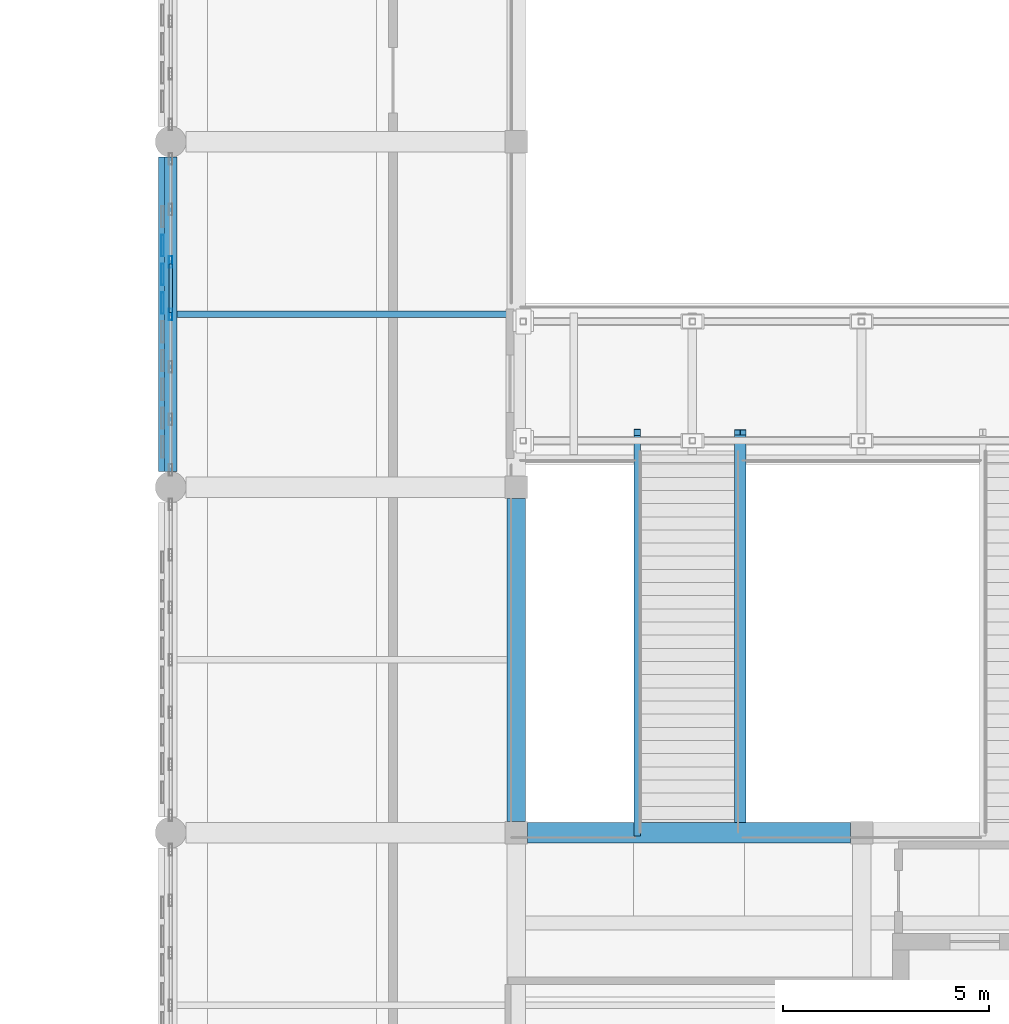
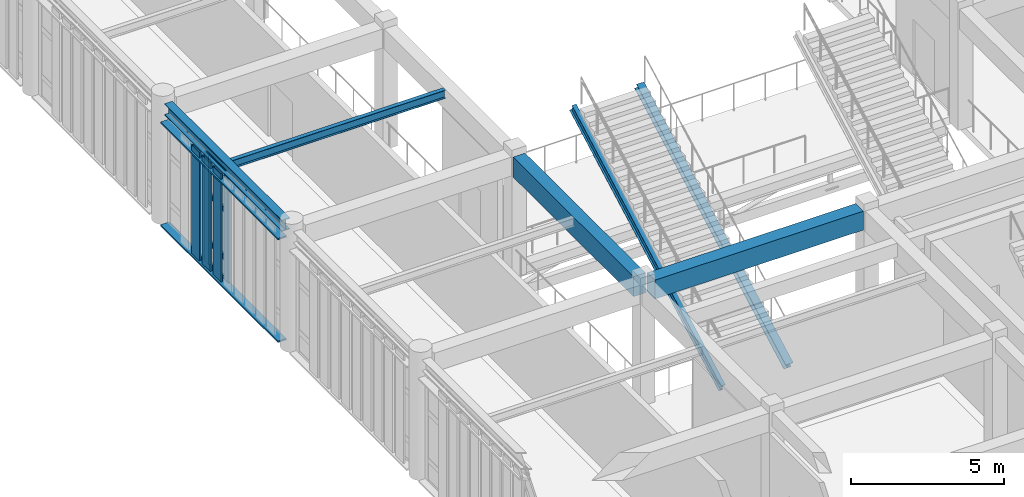
# One storey, part 18 of 106: 13 members, 4 beams, 1 element without a shape of its own.
"""IFC4 building model written with IfcOpenShell, lengths in metres."""

from ifc_helpers import new_model, si_unit, direction, frame, origin, origin_2d, place, context, subcontext, project, spatial, rectangle, hollow_rectangle, i_section, extrude, material, layer, layer_set, material_profile, profile_set, type_object, element, aggregate, save


model = new_model("IFC4")

# Units and contexts
model_context = context("Model", 3, precision=1e-05, world=origin(), true_north=direction((0.0, 1.0)))
body_context = subcontext(model_context, "Body", "Model", "MODEL_VIEW")
ifc_project = project(units=[si_unit("LENGTHUNIT", "METRE"), si_unit("AREAUNIT", "SQUARE_METRE"), si_unit("VOLUMEUNIT", "CUBIC_METRE"), si_unit("PLANEANGLEUNIT", "RADIAN"), si_unit("MASSUNIT", "GRAM", prefix="KILO")], contexts=[model_context])

# Site, building, storey
site_placement = place(None, origin())
site = spatial("IfcSite", under=ifc_project, at=site_placement, CompositionType="ELEMENT")
building_placement = place(site_placement, origin())
building = spatial("IfcBuilding", under=site, at=building_placement, Name="Krzemoval Escarpment Law Courts", CompositionType="ELEMENT")
storey_placement = place(building_placement, frame((0.0, 0.0, 5.10009765625)))
storey = spatial("IfcBuildingStorey", under=building, at=storey_placement, Name="L01", CompositionType="ELEMENT", Elevation=5.10009765625)

# Beams
ifc_material_1 = material(Name="Concrete C40/50", Category="concrete")
ifc_material_profile_1 = material_profile(ifc_material_1, rectangle(XDim=0.449951171875, YDim=0.800048828125, at=origin_2d()), Name="RCB 450x800")
ifc_profile_set_1 = profile_set([ifc_material_profile_1], Name="Concrete C40/50")
beam_type_1 = type_object("IfcBeamType", Name="BM-RC-450x800", PredefinedType="BEAM", material=ifc_profile_set_1)
beam_1_placement = place(storey_placement, frame((16.800048828125, 49.47509765625, 4.419921875), z_axis=(0.0, 1.0, 0.0), x_axis=(-1.0, 0.0, 0.0)))
element("IfcBeam", 1, at=beam_1_placement, inside=storey, type_object=beam_type_1, Name="Beam FG-L01-1400", PredefinedType="BEAM", context=body_context, shape_type="SweptSolid", body=[
    extrude(rectangle(XDim=0.449951171875, YDim=0.800048828125, at=origin_2d()), origin(), (0.0, 0.0, 1.0), 7.849853515625),
])
ifc_material_2 = material(Name="Concrete C40/50", Category="concrete")
ifc_material_profile_2 = material_profile(ifc_material_2, rectangle(XDim=0.5, YDim=0.75, at=origin_2d()), Name="RCB 500x750")
ifc_profile_set_2 = profile_set([ifc_material_profile_2], Name="Concrete C40/50")
beam_type_2 = type_object("IfcBeamType", Name="BM-RC-500x750", PredefinedType="BEAM", material=ifc_profile_set_2)
beam_2_placement = place(storey_placement, frame((17.074951171875, 49.199951171875, 4.44482421875), z_axis=(1.0, 0.0, 0.0), x_axis=(0.0, 1.0, 0.0)))
element("IfcBeam", 2, at=beam_2_placement, inside=storey, type_object=beam_type_2, Name="Beam FG-L01-1246", PredefinedType="BEAM", context=body_context, shape_type="SweptSolid", body=[
    extrude(rectangle(XDim=0.5, YDim=0.75, at=origin_2d()), origin(), (0.0, 0.0, 1.0), 7.85009765625),
])

# Curtain wall, members
ifc_material_3 = material(Name="Aluminium 6063-T6", Category="aluminium")
ifc_layer = layer(ifc_material_3, 0.280029296875)
ifc_layer_set = layer_set([ifc_layer], Name="Aluminium 6063-T6")
curtain_wall_type = type_object("IfcCurtainWallType", Name="CW-HALL-5100", PredefinedType="USERDEFINED", material=ifc_layer_set)
curtain_wall_placement = place(storey_placement, origin())
curtain_wall = element("IfcCurtainWall", 3, at=curtain_wall_placement, inside=storey, type_object=curtain_wall_type, Name="Unitised Curtain Wall FCW-L01-025", ObjectType="UNITISED_CURTAIN_WALL", PredefinedType="USERDEFINED")
ifc_material_4 = material(Name="Aluminium 6063-T6", Category="aluminium")
ifc_material_profile_3 = material_profile(ifc_material_4, hollow_rectangle(XDim=0.0849609375, YDim=0.280029296875, WallThickness=0.005615234375, at=origin_2d()), Name="ALU M85x280")
ifc_profile_set_3 = profile_set([ifc_material_profile_3], Name="Aluminium 6063-T6")
member_type_1 = type_object("IfcMemberType", Name="CWM-85x280", PredefinedType="MULLION", material=ifc_profile_set_3)
member_1_placement = place(storey_placement, frame((8.39990234375, 61.800048828125, 0.0), z_axis=(0.0, 0.0, 1.0), x_axis=(-1.0, 0.0, 0.0)))
member_1 = element("IfcMember", 4, at=member_1_placement, type_object=member_type_1, Name="FCW-L01-025 mullion 4", PredefinedType="MULLION", context=body_context, shape_type="SweptSolid", body=[
    extrude(hollow_rectangle(XDim=0.0849609375, YDim=0.280029296875, WallThickness=0.005615234375, at=origin_2d()), origin(), (0.0, 0.0, 1.0), 4.369873046875),
])
member_2_placement = place(storey_placement, frame((8.39990234375, 63.074951171875, 0.0), z_axis=(0.0, 0.0, 1.0), x_axis=(-1.0, 0.0, 0.0)))
member_2 = element("IfcMember", 5, at=member_2_placement, type_object=member_type_1, Name="FCW-L01-025 mullion 5", PredefinedType="MULLION", context=body_context, shape_type="SweptSolid", body=[
    extrude(hollow_rectangle(XDim=0.0849609375, YDim=0.280029296875, WallThickness=0.005615234375, at=origin_2d()), origin(), (0.0, 0.0, 1.0), 4.369873046875),
])
ifc_material_5 = material(Name="Aluminium 6063-T6", Category="aluminium")
ifc_material_profile_4 = material_profile(ifc_material_5, hollow_rectangle(XDim=0.0849609375, YDim=0.2099609375, WallThickness=0.005615234375, at=origin_2d()), Name="ALU T85x210")
ifc_profile_set_4 = profile_set([ifc_material_profile_4], Name="Aluminium 6063-T6")
member_type_2 = type_object("IfcMemberType", Name="CWT-85x210", PredefinedType="USERDEFINED", material=ifc_profile_set_4)
member_3_placement = place(storey_placement, frame((8.39990234375, 61.842529296875, 0.04248046875), z_axis=(0.0, 1.0, 0.0), x_axis=(-1.0, 0.0, 0.0)))
member_3 = element("IfcMember", 6, at=member_3_placement, type_object=member_type_2, Name="FCW-L01-025 transom 4.1", ObjectType="TRANSOM", PredefinedType="USERDEFINED", context=body_context, shape_type="SweptSolid", body=[
    extrude(hollow_rectangle(XDim=0.0849609375, YDim=0.2099609375, WallThickness=0.005615234375, at=origin_2d()), origin(), (0.0, 0.0, 1.0), 1.18994140625),
])
member_4_placement = place(storey_placement, frame((8.39990234375, 61.842529296875, 0.89990234375), z_axis=(0.0, 1.0, 0.0), x_axis=(-1.0, 0.0, 0.0)))
member_4 = element("IfcMember", 7, at=member_4_placement, type_object=member_type_2, Name="FCW-L01-025 transom 4.2", ObjectType="TRANSOM", PredefinedType="USERDEFINED", context=body_context, shape_type="SweptSolid", body=[
    extrude(hollow_rectangle(XDim=0.0849609375, YDim=0.2099609375, WallThickness=0.005615234375, at=origin_2d()), origin(), (0.0, 0.0, 1.0), 1.18994140625),
])
member_5_placement = place(storey_placement, frame((8.39990234375, 61.842529296875, 2.7998046875), z_axis=(0.0, 1.0, 0.0), x_axis=(-1.0, 0.0, 0.0)))
member_5 = element("IfcMember", 8, at=member_5_placement, type_object=member_type_2, Name="FCW-L01-025 transom 4.3", ObjectType="TRANSOM", PredefinedType="USERDEFINED", context=body_context, shape_type="SweptSolid", body=[
    extrude(hollow_rectangle(XDim=0.0849609375, YDim=0.2099609375, WallThickness=0.005615234375, at=origin_2d()), origin(), (0.0, 0.0, 1.0), 1.18994140625),
])
member_6_placement = place(storey_placement, frame((8.39990234375, 61.842529296875, 4.327392578125), z_axis=(0.0, 1.0, 0.0), x_axis=(-1.0, 0.0, 0.0)))
member_6 = element("IfcMember", 9, at=member_6_placement, type_object=member_type_2, Name="FCW-L01-025 transom 4.4", ObjectType="TRANSOM", PredefinedType="USERDEFINED", context=body_context, shape_type="SweptSolid", body=[
    extrude(hollow_rectangle(XDim=0.0849609375, YDim=0.2099609375, WallThickness=0.005615234375, at=origin_2d()), origin(), (0.0, 0.0, 1.0), 1.18994140625),
])
aggregate(curtain_wall, [member_1, member_2, member_3, member_4, member_5, member_6])

# Beam
ifc_material_6 = material(Name="Steel S355", Category="steel")
ifc_material_profile_5 = material_profile(ifc_material_6, i_section(OverallWidth=0.159912109375, OverallDepth=0.330078125, WebThickness=0.007568359375, FlangeThickness=0.011474609375, at=origin_2d()), Name="IPE 330")
ifc_profile_set_5 = profile_set([ifc_material_profile_5], Name="Steel S355")
beam_type_3 = type_object("IfcBeamType", Name="JST-S355-IPE330", PredefinedType="JOIST", material=ifc_profile_set_5)
beam_3_placement = place(storey_placement, frame((8.550048828125, 61.800048828125, 4.65478515625), z_axis=(1.0, 0.0, 0.0), x_axis=(0.0, 1.0, 0.0)))
element("IfcBeam", 10, at=beam_3_placement, inside=storey, type_object=beam_type_3, Name="Secondary Joist FJ-L01-1607", PredefinedType="JOIST", context=body_context, shape_type="SweptSolid", body=[
    extrude(i_section(OverallWidth=0.159912109375, OverallDepth=0.330078125, WebThickness=0.007568359375, FlangeThickness=0.011474609375, at=origin_2d()), origin(), (0.0, 0.0, 1.0), 8.02490234375),
])

# Members
ifc_material_7 = material(Name="Anodised Aluminium Alloy 6063-T6", Category="aluminium")
ifc_material_profile_6 = material_profile(ifc_material_7, hollow_rectangle(XDim=0.06005859375, YDim=0.320068359375, WallThickness=0.00390625, at=origin_2d()), Name="ALU LVR 60x320")
ifc_profile_set_6 = profile_set([ifc_material_profile_6], Name="Anodised Aluminium Alloy 6063-T6")
member_type_3 = type_object("IfcMemberType", Name="LVR-ALU-320", PredefinedType="USERDEFINED", material=ifc_profile_set_6)
for number, where, z_axis, x_axis, name in (
    (11, (8.260009765625, 57.97509765625, 0.02978515625), (0.0, 1.0, 0.0), (0.0, 0.0, 1.0), "Sunshade Support Rail FSR-L01-0030"),
    (12, (8.260009765625, 57.97509765625, 4.119873046875), (0.0, 1.0, 0.0), (0.0, 0.0, 1.0), "Sunshade Support Rail FSR-L01-0031"),
):
    element("IfcMember", number, at=place(storey_placement, frame(where, z_axis=z_axis, x_axis=x_axis)), inside=storey, type_object=member_type_3, Name=name, ObjectType="SUNSHADE_LOUVRE", PredefinedType="USERDEFINED", context=body_context, shape_type="SweptSolid", body=[
        extrude(hollow_rectangle(XDim=0.06005859375, YDim=0.320068359375, WallThickness=0.00390625, at=origin_2d()), origin(), (0.0, 0.0, 1.0), 7.64990234375),
    ])
ifc_material_8 = material(Name="Anodised Aluminium Alloy 6063-T6", Category="aluminium")
ifc_material_profile_7 = material_profile(ifc_material_8, hollow_rectangle(XDim=0.06494140625, YDim=0.52001953125, WallThickness=0.00439453125, at=origin_2d()), Name="ALU LVR 65x520")
ifc_profile_set_7 = profile_set([ifc_material_profile_7], Name="Anodised Aluminium Alloy 6063-T6")
member_type_4 = type_object("IfcMemberType", Name="LVR-ALU-520", PredefinedType="USERDEFINED", material=ifc_profile_set_7)
for number, where, z_axis, x_axis, name in (
    (13, (8.199951171875, 62.074951171875, 0.059814453125), (0.0, 0.0, 1.0), (1.0, 0.0, 0.0), "Sunshade Louvre Fin FLV-L01-0037"),
    (14, (8.199951171875, 62.77490234375, 0.059814453125), (0.0, 0.0, 1.0), (1.0, 0.0, 0.0), "Sunshade Louvre Fin FLV-L01-0038"),
    (15, (8.199951171875, 63.47509765625, 0.059814453125), (0.0, 0.0, 1.0), (1.0, 0.0, 0.0), "Sunshade Louvre Fin FLV-L01-0039"),
):
    element("IfcMember", number, at=place(storey_placement, frame(where, z_axis=z_axis, x_axis=x_axis)), inside=storey, type_object=member_type_4, Name=name, ObjectType="SUNSHADE_LOUVRE", PredefinedType="USERDEFINED", context=body_context, shape_type="SweptSolid", body=[
        extrude(hollow_rectangle(XDim=0.06494140625, YDim=0.52001953125, WallThickness=0.00439453125, at=origin_2d()), origin(), (0.0, 0.0, 1.0), 4.31005859375),
    ])
ifc_material_9 = material(Name="Steel S355", Category="steel")
ifc_material_profile_8 = material_profile(ifc_material_9, i_section(OverallWidth=0.280029296875, OverallDepth=0.280029296875, WebThickness=0.010498046875, FlangeThickness=0.01806640625, at=origin_2d()), Name="HEB 280")
ifc_profile_set_8 = profile_set([ifc_material_profile_8], Name="Steel S355")
member_type_5 = type_object("IfcMemberType", Name="MBR-STG-HEB280", PredefinedType="STRINGER", material=ifc_profile_set_8)
member_7_placement = place(storey_placement, frame((22.25, 49.199951171875, -0.550048828125), z_axis=(0.0, 0.879306595946, 0.476256139411), x_axis=(-1.0, 0.0, 0.0)))
element("IfcMember", 16, at=member_7_placement, inside=storey, type_object=member_type_5, Name="Stair Stringer STG-0270", PredefinedType="STRINGER", context=body_context, shape_type="SweptSolid", body=[
    extrude(i_section(OverallWidth=0.280029296875, OverallDepth=0.280029296875, WebThickness=0.010498046875, FlangeThickness=0.01806640625, at=origin_2d()), origin(), (0.0, 0.0, 1.0), 11.0654296875),
])
ifc_material_10 = material(Name="Steel S355", Category="steel")
ifc_material_profile_9 = material_profile(ifc_material_10, i_section(OverallWidth=0.159912109375, OverallDepth=0.330078125, WebThickness=0.007568359375, FlangeThickness=0.011474609375, at=origin_2d()), Name="IPE 330")
ifc_profile_set_9 = profile_set([ifc_material_profile_9], Name="Steel S355")
member_type_6 = type_object("IfcMemberType", Name="MBR-STG-IPE330", PredefinedType="STRINGER", material=ifc_profile_set_9)
member_8_placement = place(storey_placement, frame((19.75, 49.199951171875, -0.550048828125), z_axis=(0.0, 0.879306595946, 0.476256139411), x_axis=(-1.0, 0.0, 0.0)))
element("IfcMember", 17, at=member_8_placement, inside=storey, type_object=member_type_6, Name="Stair Stringer STG-0269", PredefinedType="STRINGER", context=body_context, shape_type="SweptSolid", body=[
    extrude(i_section(OverallWidth=0.159912109375, OverallDepth=0.330078125, WebThickness=0.007568359375, FlangeThickness=0.011474609375, at=origin_2d()), origin(), (0.0, 0.0, 1.0), 11.0654296875),
])

# Beam
ifc_material_11 = material(Name="Steel S355", Category="steel")
ifc_material_profile_10 = material_profile(ifc_material_11, i_section(OverallWidth=0.300048828125, OverallDepth=0.449951171875, WebThickness=0.013916015625, FlangeThickness=0.02587890625, at=origin_2d()), Name="HEB 450")
ifc_profile_set_10 = profile_set([ifc_material_profile_10], Name="Steel S355")
beam_type_4 = type_object("IfcBeamType", Name="SPN-S355-HEB450", PredefinedType="SPANDREL", material=ifc_profile_set_10)
beam_4_placement = place(storey_placement, frame((8.39990234375, 57.97509765625, 4.594970703125), z_axis=(0.0, 1.0, 0.0), x_axis=(-1.0, 0.0, 0.0)))
element("IfcBeam", 18, at=beam_4_placement, inside=storey, type_object=beam_type_4, Name="Beam FG-L01-1385", PredefinedType="SPANDREL", context=body_context, shape_type="SweptSolid", body=[
    extrude(i_section(OverallWidth=0.300048828125, OverallDepth=0.449951171875, WebThickness=0.013916015625, FlangeThickness=0.02587890625, at=origin_2d()), origin(), (0.0, 0.0, 1.0), 7.64990234375),
])

save(model, "model.ifc")
